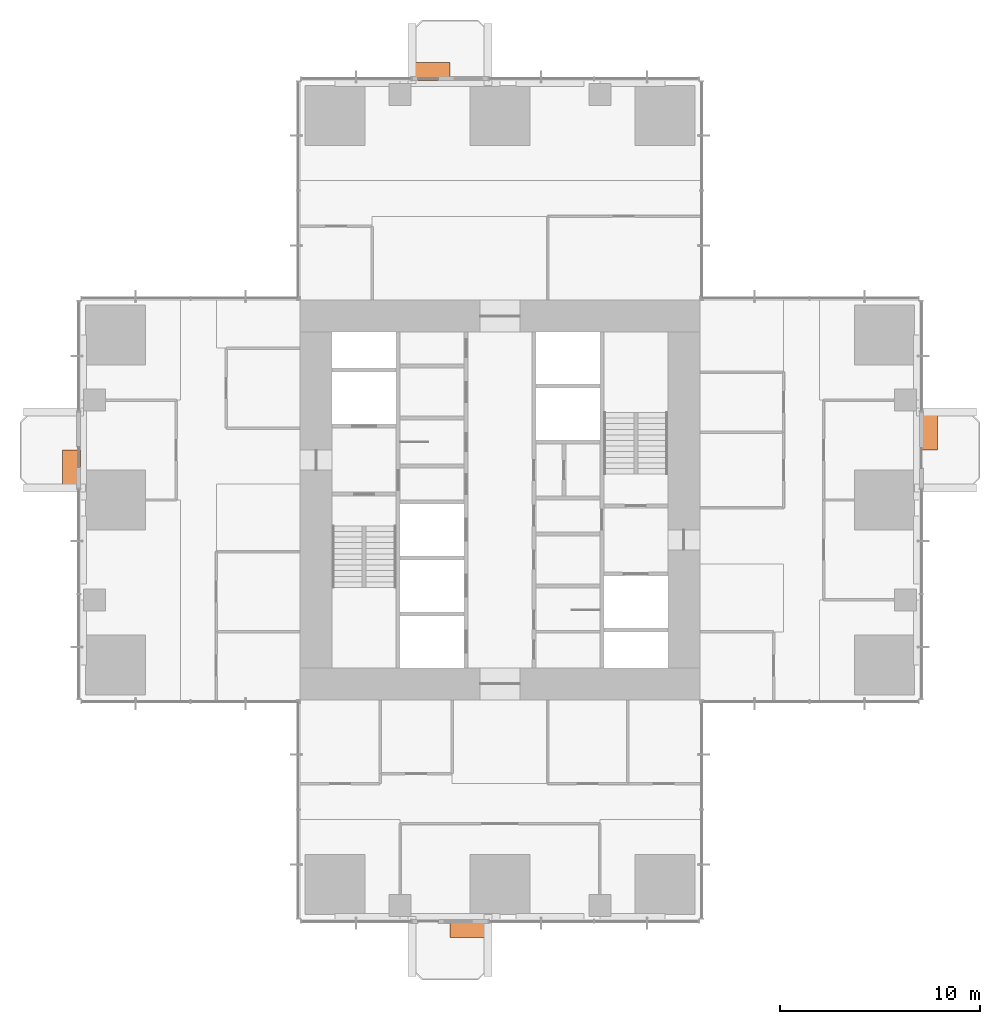
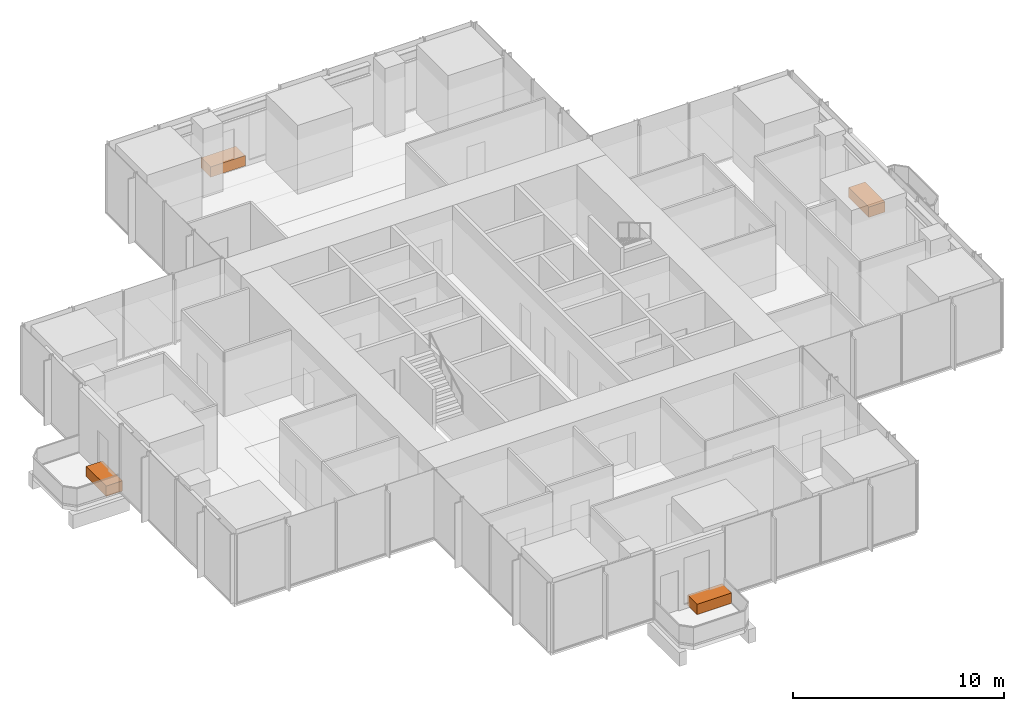
# One storey, part 13 of 13: 4 proxies.
"""IFC4 building model written with IfcOpenShell, lengths in metres."""

from ifc_helpers import new_model, si_unit, direction, frame, origin, origin_2d, place, context, subcontext, project, spatial, rectangle, extrude, element, save


model = new_model("IFC4")

# Units and contexts
model_context = context("Model", 3, precision=1e-05, world=origin(), true_north=direction((0.0, 1.0)))
body_context = subcontext(model_context, "Body", "Model", "MODEL_VIEW")
ifc_project = project(units=[si_unit("LENGTHUNIT", "METRE"), si_unit("AREAUNIT", "SQUARE_METRE"), si_unit("VOLUMEUNIT", "CUBIC_METRE"), si_unit("PLANEANGLEUNIT", "RADIAN"), si_unit("MASSUNIT", "GRAM", prefix="KILO")], contexts=[model_context])

# Site, building, storey
site_placement = place(None, origin())
site = spatial("IfcSite", under=ifc_project, at=site_placement, CompositionType="ELEMENT")
building_placement = place(site_placement, origin())
building = spatial("IfcBuilding", under=site, at=building_placement, Name="Svetlomir Tower", CompositionType="ELEMENT")
storey_placement = place(building_placement, frame((0.0, 0.0, 148.5)))
storey = spatial("IfcBuildingStorey", under=building, at=storey_placement, Name="L35", CompositionType="ELEMENT", Elevation=148.5)

# Proxies
proxy_1_placement = place(storey_placement, frame((19.449951171875, -0.449951171875, 0.0400390625), z_axis=(0.0, 0.0, 1.0), x_axis=(1.0, 0.0, 0.0)))
element("IfcBuildingElementProxy", 1, at=proxy_1_placement, inside=storey, Name="Tree planter S L35", ObjectType="PLANTER", PredefinedType="USERDEFINED", context=body_context, shape_type="SweptSolid", body=[
    extrude(rectangle(XDim=1.89990234375, YDim=0.89990234375, at=origin_2d()), origin(), (0.0, 0.0, 1.0), 0.60009765625),
])
proxy_2_placement = place(storey_placement, frame((42.449951171875, 24.449951171875, 0.0400390625), z_axis=(0.0, 0.0, 1.0), x_axis=(1.0, 0.0, 0.0)))
element("IfcBuildingElementProxy", 2, at=proxy_2_placement, inside=storey, Name="Tree planter E L35", ObjectType="PLANTER", PredefinedType="USERDEFINED", context=body_context, shape_type="SweptSolid", body=[
    extrude(rectangle(XDim=0.89990234375, YDim=1.89990234375, at=origin_2d()), origin(), (0.0, 0.0, 1.0), 0.60009765625),
])
proxy_3_placement = place(storey_placement, frame((17.550048828125, 42.449951171875, 0.0400390625), z_axis=(0.0, 0.0, 1.0), x_axis=(1.0, 0.0, 0.0)))
element("IfcBuildingElementProxy", 3, at=proxy_3_placement, inside=storey, Name="Tree planter N L35", ObjectType="PLANTER", PredefinedType="USERDEFINED", context=body_context, shape_type="SweptSolid", body=[
    extrude(rectangle(XDim=1.89990234375, YDim=0.89990234375, at=origin_2d()), origin(), (0.0, 0.0, 1.0), 0.60009765625),
])
proxy_4_placement = place(storey_placement, frame((-0.449951171875, 22.550048828125, 0.0400390625), z_axis=(0.0, 0.0, 1.0), x_axis=(1.0, 0.0, 0.0)))
element("IfcBuildingElementProxy", 4, at=proxy_4_placement, inside=storey, Name="Tree planter W L35", ObjectType="PLANTER", PredefinedType="USERDEFINED", context=body_context, shape_type="SweptSolid", body=[
    extrude(rectangle(XDim=0.89990234375, YDim=1.89990234375, at=origin_2d()), origin(), (0.0, 0.0, 1.0), 0.60009765625),
])

save(model, "model.ifc")
